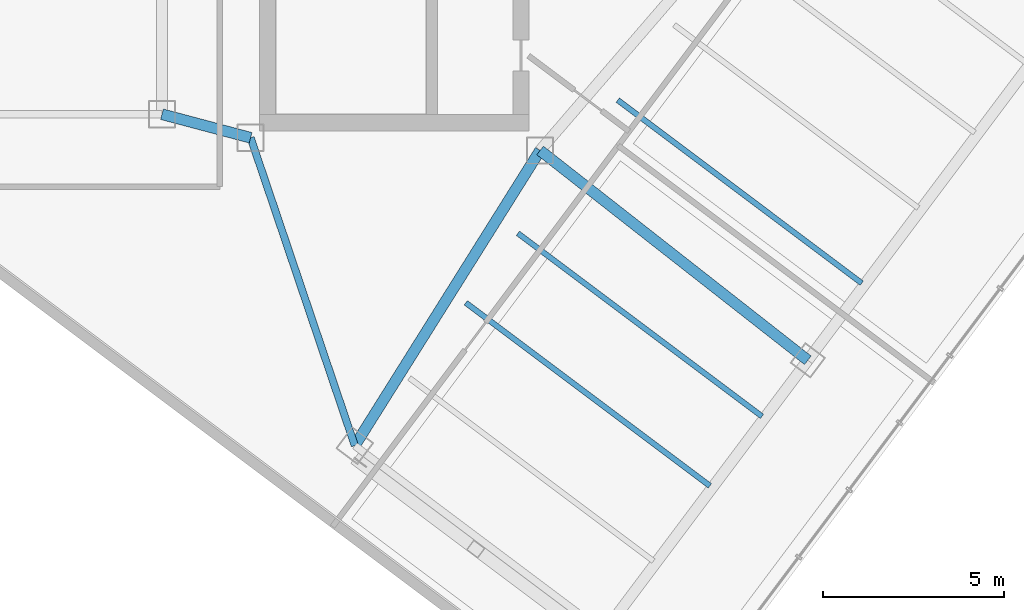
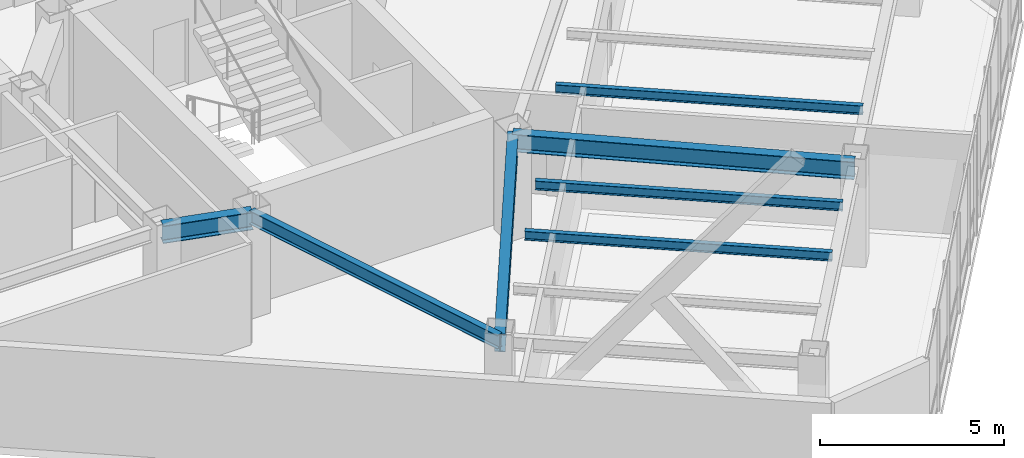
# One storey, part 3 of 24: 7 beams.
"""IFC4 building model written with IfcOpenShell, lengths in metres."""

from ifc_helpers import new_model, si_unit, direction, frame, origin, origin_2d, place, context, subcontext, project, spatial, i_section, extrude, material, material_profile, profile_set, type_object, element, save


model = new_model("IFC4")

# Units and contexts
model_context = context("Model", 3, precision=1e-05, world=origin(), true_north=direction((0.0, 1.0)))
body_context = subcontext(model_context, "Body", "Model", "MODEL_VIEW")
ifc_project = project(units=[si_unit("LENGTHUNIT", "METRE"), si_unit("AREAUNIT", "SQUARE_METRE"), si_unit("VOLUMEUNIT", "CUBIC_METRE"), si_unit("PLANEANGLEUNIT", "RADIAN"), si_unit("MASSUNIT", "GRAM", prefix="KILO")], contexts=[model_context])

# Site, building, storey
site_placement = place(None, origin())
site = spatial("IfcSite", under=ifc_project, at=site_placement, CompositionType="ELEMENT")
building_placement = place(site_placement, origin())
building = spatial("IfcBuilding", under=site, at=building_placement, Name="Hatsunagi Terrace Concourse", CompositionType="ELEMENT")
storey_placement = place(building_placement, frame((0.0, 0.0, 202.35009765625)))
storey = spatial("IfcBuildingStorey", under=building, at=storey_placement, Name="L53", CompositionType="ELEMENT", Elevation=202.35009765625)

# Beams
ifc_material_1 = material(Name="Steel SN490B", Category="steel")
ifc_material_profile_1 = material_profile(ifc_material_1, i_section(OverallWidth=0.300048828125, OverallDepth=0.587890625, WebThickness=0.011962890625, FlangeThickness=0.02001953125, FilletRadius=0.01806640625, at=origin_2d()), Name="H-588x300x12x20")
ifc_profile_set_1 = profile_set([ifc_material_profile_1], Name="Steel SN490B")
beam_type_1 = type_object("IfcBeamType", Name="OfficeHighGirder_H_588x300", PredefinedType="BEAM", material=ifc_profile_set_1)
beam_1_placement = place(storey_placement, frame((33.35009765625, 25.199951171875, 3.055908203125), z_axis=(0.966569840116, -0.256403479262, 0.0), x_axis=(0.256403479262, 0.966569840116, 0.0)))
element("IfcBeam", 1, at=beam_1_placement, inside=storey, type_object=beam_type_1, Name="Beam G-06 BM-L53-K2CB", PredefinedType="BEAM", context=body_context, shape_type="SweptSolid", body=[
    extrude(i_section(OverallWidth=0.300048828125, OverallDepth=0.587890625, WebThickness=0.011962890625, FlangeThickness=0.02001953125, FilletRadius=0.01806640625, at=origin_2d()), origin(), (0.0, 0.0, 1.0), 2.53466796875),
])
beam_2_placement = place(storey_placement, frame((38.679931640625, 16.0400390625, 3.055908203125), z_axis=(0.531503907049, 0.847055840421, 0.0), x_axis=(-0.847055840421, 0.531503907049, 0.0)))
element("IfcBeam", 2, at=beam_2_placement, inside=storey, type_object=beam_type_1, Name="Beam G-06 BM-L53-SET-1A", PredefinedType="BEAM", context=body_context, shape_type="SweptSolid", body=[
    extrude(i_section(OverallWidth=0.300048828125, OverallDepth=0.587890625, WebThickness=0.011962890625, FlangeThickness=0.02001953125, FilletRadius=0.01806640625, at=origin_2d()), origin(), (0.0, 0.0, 1.0), 9.63330078125),
])
beam_3_placement = place(storey_placement, frame((43.800048828125, 24.199951171875, 3.055908203125), z_axis=(0.787049441068, -0.616889923175, 0.0), x_axis=(0.616889923175, 0.787049441068, 0.0)))
element("IfcBeam", 3, at=beam_3_placement, inside=storey, type_object=beam_type_1, Name="Beam G-06 BM-L53-SE-M2", PredefinedType="BEAM", context=body_context, shape_type="SweptSolid", body=[
    extrude(i_section(OverallWidth=0.300048828125, OverallDepth=0.587890625, WebThickness=0.011962890625, FlangeThickness=0.02001953125, FilletRadius=0.01806640625, at=origin_2d()), origin(), (0.0, 0.0, 1.0), 9.402099609375),
])
ifc_material_2 = material(Name="Steel SN490B", Category="steel")
ifc_material_profile_2 = material_profile(ifc_material_2, i_section(OverallWidth=0.14990234375, OverallDepth=0.300048828125, WebThickness=0.006591796875, FlangeThickness=0.009033203125, FilletRadius=0.010986328125, at=origin_2d()), Name="H-300x150x6.5x9")
ifc_profile_set_2 = profile_set([ifc_material_profile_2], Name="Steel SN490B")
beam_type_2 = type_object("IfcBeamType", Name="OfficeJoist_H_300x150", PredefinedType="JOIST", material=ifc_profile_set_2)
for number, where, z_axis, x_axis, name in (
    (4, (41.748046875, 19.989013671875, 3.199951171875), (0.799989573921, -0.600013901187, 0.0), (0.600013901187, 0.799989573921, 0.0), "Beam J-03 J-L53-SE-2-72"),
    (5, (43.18798828125, 21.908935546875, 3.199951171875), (0.800003475366, -0.59999536615, 0.0), (0.59999536615, 0.800003475366, 0.0), "Beam J-03 J-L53-SE-2-96"),
    (6, (45.947998046875, 25.589111328125, 3.199951171875), (0.799989573921, -0.600013901187, 0.0), (0.600013901187, 0.799989573921, 0.0), "Beam J-03 J-L53-SE-2-142"),
):
    element("IfcBeam", number, at=place(storey_placement, frame(where, z_axis=z_axis, x_axis=x_axis)), inside=storey, type_object=beam_type_2, Name=name, PredefinedType="JOIST", context=body_context, shape_type="SweptSolid", body=[
        extrude(i_section(OverallWidth=0.14990234375, OverallDepth=0.300048828125, WebThickness=0.006591796875, FlangeThickness=0.009033203125, FilletRadius=0.010986328125, at=origin_2d()), origin(), (0.0, 0.0, 1.0), 8.429931640625),
    ])
ifc_material_3 = material(Name="Steel SN490B", Category="steel")
ifc_material_profile_3 = material_profile(ifc_material_3, i_section(OverallWidth=0.199951171875, OverallDepth=0.449951171875, WebThickness=0.009033203125, FlangeThickness=0.013916015625, FilletRadius=0.01611328125, at=origin_2d()), Name="H-450x200x9x14")
ifc_profile_set_3 = profile_set([ifc_material_profile_3], Name="Steel SN490B")
beam_type_3 = type_object("IfcBeamType", Name="PerimeterSpandrel_H_450x200", PredefinedType="SPANDREL", material=ifc_profile_set_3)
beam_4_placement = place(storey_placement, frame((35.800048828125, 24.550048828125, 3.125), z_axis=(0.320553412271, -0.947230441805, 0.0), x_axis=(0.947230441805, 0.320553412271, 0.0)))
element("IfcBeam", 7, at=beam_4_placement, inside=storey, type_object=beam_type_3, Name="Beam SP-02 BM-L53-SE-SW0", PredefinedType="SPANDREL", context=body_context, shape_type="SweptSolid", body=[
    extrude(i_section(OverallWidth=0.199951171875, OverallDepth=0.449951171875, WebThickness=0.009033203125, FlangeThickness=0.013916015625, FilletRadius=0.01611328125, at=origin_2d()), origin(), (0.0, 0.0, 1.0), 8.984130859375),
])

save(model, "model.ifc")
